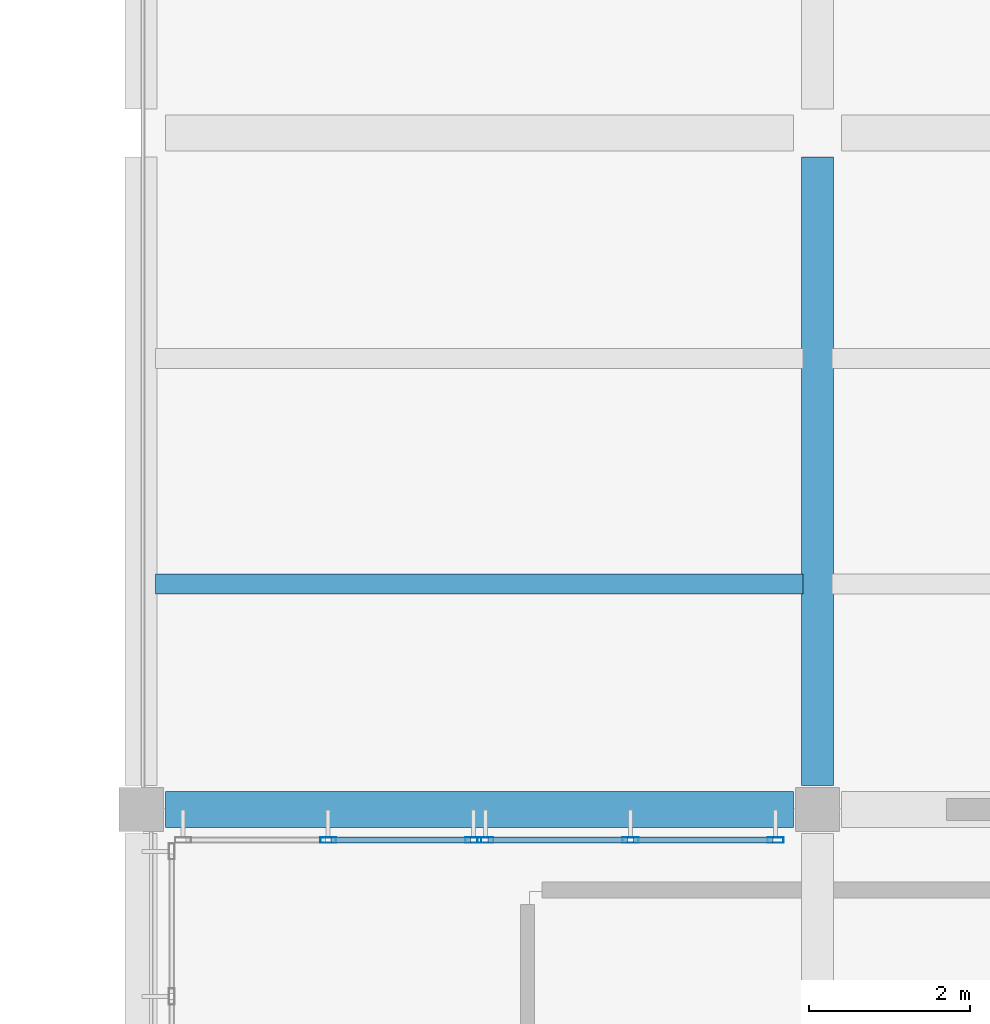
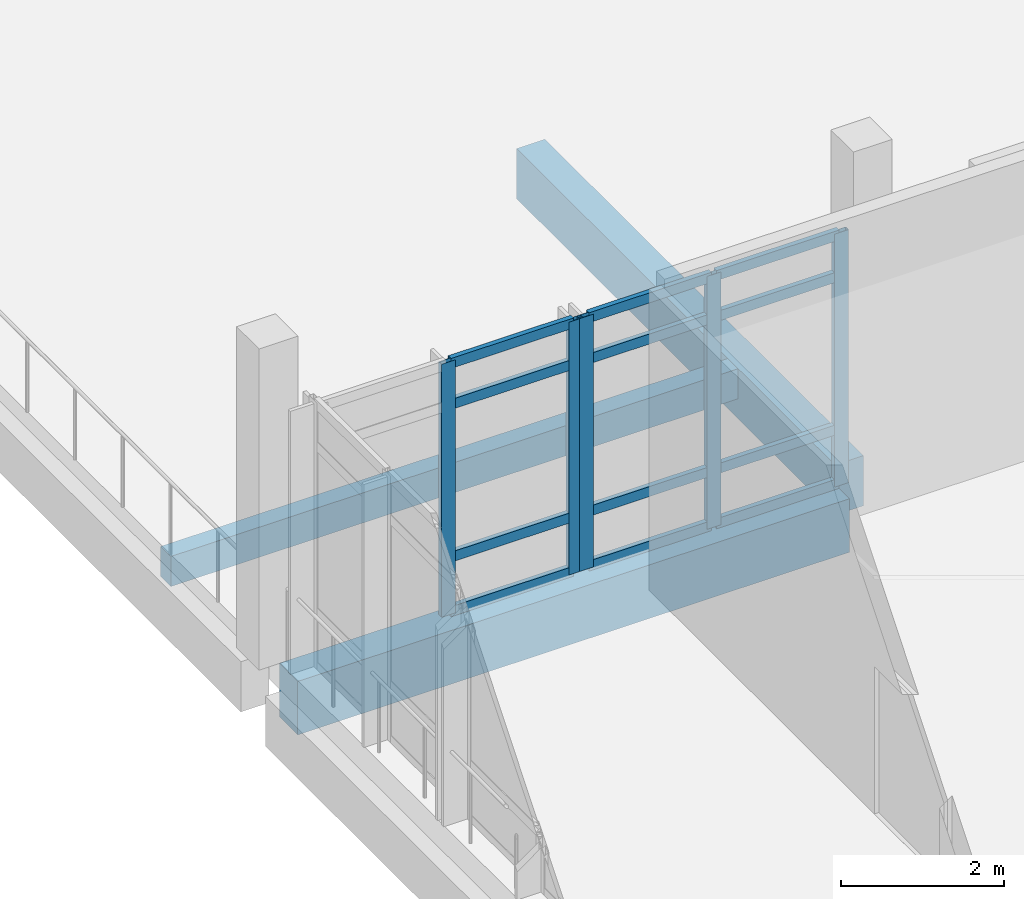
# One storey, part 24 of 63: 17 members, 3 beams, 2 elements without a shape of their own.
"""IFC4 building model written with IfcOpenShell, lengths in metres."""

from ifc_helpers import new_model, si_unit, derived_unit, direction, frame, origin, origin_2d, place, context, subcontext, project, spatial, rectangle, hollow_rectangle, extrude, material, layer, layer_set, material_profile, profile_set, type_object, element, aggregate, save


model = new_model("IFC4")

# Units and contexts
model_context = context("Model", 3, precision=1e-05, world=origin(), true_north=direction((0.0, 1.0)))
body_context = subcontext(model_context, "Body", "Model", "MODEL_VIEW")
ifc_project = project(units=[si_unit("LENGTHUNIT", "METRE"), si_unit("AREAUNIT", "SQUARE_METRE"), si_unit("VOLUMEUNIT", "CUBIC_METRE"), si_unit("PLANEANGLEUNIT", "RADIAN"), si_unit("MASSUNIT", "GRAM", prefix="KILO"), derived_unit("THERMALTRANSMITTANCEUNIT", [(si_unit("POWERUNIT", "WATT"), 1), (si_unit("LENGTHUNIT", "METRE"), -2), (si_unit("THERMODYNAMICTEMPERATUREUNIT", "KELVIN"), -1)])], contexts=[model_context])

# Site, building, storey
site_placement = place(None, origin())
site = spatial("IfcSite", under=ifc_project, at=site_placement, CompositionType="ELEMENT")
building_placement = place(site_placement, origin())
building = spatial("IfcBuilding", under=site, at=building_placement, Name="Elbkamm Science Centre", CompositionType="ELEMENT")
storey_placement = place(building_placement, frame((0.0, 0.0, 5.10009765625)))
storey = spatial("IfcBuildingStorey", under=building, at=storey_placement, Name="L01", CompositionType="ELEMENT", Elevation=5.10009765625)

# Beams
ifc_material_1 = material(Name="Concrete C40/50", Category="concrete")
ifc_material_profile_1 = material_profile(ifc_material_1, rectangle(XDim=0.39990234375, YDim=0.75, at=origin_2d()), Name="RC 400x750")
ifc_profile_set_1 = profile_set([ifc_material_profile_1], Name="Concrete C40/50")
beam_type_1 = type_object("IfcBeamType", Name="BM-RC-400x750", PredefinedType="BEAM", material=ifc_profile_set_1)
beam_1_placement = place(storey_placement, frame((134.39990234375, 75.89990234375, -0.625), z_axis=(0.0, 1.0, 0.0), x_axis=(-1.0, 0.0, 0.0)))
element("IfcBeam", 1, at=beam_1_placement, inside=storey, type_object=beam_type_1, Name="L01 Primary Y-Girder 053", PredefinedType="BEAM", context=body_context, shape_type="SweptSolid", body=[
    extrude(rectangle(XDim=0.39990234375, YDim=0.75, at=origin_2d()), origin(), (0.0, 0.0, 1.0), 7.800048828125),
])
ifc_material_profile_2 = material_profile(ifc_material_1, rectangle(XDim=0.449951171875, YDim=0.800048828125, at=origin_2d()), Name="RC 450x800")
ifc_profile_set_2 = profile_set([ifc_material_profile_2], Name="Concrete C40/50")
beam_type_2 = type_object("IfcBeamType", Name="BM-RC-450x800", PredefinedType="BEAM", material=ifc_profile_set_2)
beam_2_placement = place(storey_placement, frame((126.300048828125, 75.60009765625, -0.800048828125), z_axis=(1.0, 0.0, 0.0), x_axis=(0.0, 1.0, 0.0)))
element("IfcBeam", 2, at=beam_2_placement, inside=storey, type_object=beam_type_2, Name="L01 Primary X-Girder 072", PredefinedType="BEAM", context=body_context, shape_type="SweptSolid", body=[
    extrude(rectangle(XDim=0.449951171875, YDim=0.800048828125, at=origin_2d()), origin(), (0.0, 0.0, 1.0), 7.800048828125),
])

# Curtain wall, members
ifc_material_2 = material(Name="Powder-coated aluminium and triple low-E glazing", Category="aluminium")
ifc_layer = layer(ifc_material_2, 0.159912109375)
ifc_layer_set = layer_set([ifc_layer], Name="Powder-coated aluminium and triple low-E glazing")
curtain_wall_type = type_object("IfcCurtainWallType", Name="CW-UNIT-3680x3780", PredefinedType="USERDEFINED", material=ifc_layer_set)
curtain_wall_1_placement = place(storey_placement, origin())
curtain_wall_1 = element("IfcCurtainWall", 3, at=curtain_wall_1_placement, inside=storey, type_object=curtain_wall_type, Name="L01 Unitised Curtain Wall 159", ObjectType="UNITISED CURTAIN WALL", PredefinedType="USERDEFINED")
ifc_material_3 = material(Name="Powder-coated aluminium EN AW-6060", Category="aluminium")
ifc_material_profile_3 = material_profile(ifc_material_3, hollow_rectangle(XDim=0.070068359375, YDim=0.199951171875, WallThickness=0.00439453125, at=origin_2d()), Name="ALU M70x200")
ifc_profile_set_3 = profile_set([ifc_material_profile_3], Name="Powder-coated aluminium EN AW-6060")
member_type_1 = type_object("IfcMemberType", Name="CW-MUL-70x200", PredefinedType="MULLION", material=ifc_profile_set_3)
member_1_placement = place(storey_placement, frame((128.3232421875, 75.219970703125, 0.0), z_axis=(0.0, 0.0, 1.0), x_axis=(0.0, 1.0, 0.0)))
member_1 = element("IfcMember", 4, at=member_1_placement, type_object=member_type_1, Name="CW-075 mullion 2", PredefinedType="MULLION", context=body_context, shape_type="SweptSolid", body=[
    extrude(hollow_rectangle(XDim=0.070068359375, YDim=0.199951171875, WallThickness=0.00439453125, at=origin_2d()), origin(), (0.0, 0.0, 1.0), 3.77978515625),
])
member_2_placement = place(storey_placement, frame((130.125, 75.219970703125, 0.0), z_axis=(0.0, 0.0, 1.0), x_axis=(0.0, 1.0, 0.0)))
member_2 = element("IfcMember", 5, at=member_2_placement, type_object=member_type_1, Name="CW-075 mullion 3", PredefinedType="MULLION", context=body_context, shape_type="SweptSolid", body=[
    extrude(hollow_rectangle(XDim=0.070068359375, YDim=0.199951171875, WallThickness=0.00439453125, at=origin_2d()), origin(), (0.0, 0.0, 1.0), 3.77978515625),
])

curtain_wall_2_placement = place(storey_placement, origin())
curtain_wall_2 = element("IfcCurtainWall", 6, at=curtain_wall_2_placement, inside=storey, type_object=curtain_wall_type, Name="L01 Unitised Curtain Wall 160", ObjectType="UNITISED CURTAIN WALL", PredefinedType="USERDEFINED")
member_3_placement = place(storey_placement, frame((130.27490234375, 75.219970703125, 0.0), z_axis=(0.0, 0.0, 1.0), x_axis=(0.0, 1.0, 0.0)))
member_3 = element("IfcMember", 7, at=member_3_placement, type_object=member_type_1, Name="CW-075 mullion 1", PredefinedType="MULLION", context=body_context, shape_type="SweptSolid", body=[
    extrude(hollow_rectangle(XDim=0.070068359375, YDim=0.199951171875, WallThickness=0.00439453125, at=origin_2d()), origin(), (0.0, 0.0, 1.0), 3.77978515625),
])
member_4_placement = place(storey_placement, frame((132.076904296875, 75.219970703125, 0.0), z_axis=(0.0, 0.0, 1.0), x_axis=(0.0, 1.0, 0.0)))
member_4 = element("IfcMember", 8, at=member_4_placement, type_object=member_type_1, Name="CW-075 mullion 2", PredefinedType="MULLION", context=body_context, shape_type="SweptSolid", body=[
    extrude(hollow_rectangle(XDim=0.070068359375, YDim=0.199951171875, WallThickness=0.00439453125, at=origin_2d()), origin(), (0.0, 0.0, 1.0), 3.77978515625),
])
member_5_placement = place(storey_placement, frame((133.878662109375, 75.219970703125, 0.0), z_axis=(0.0, 0.0, 1.0), x_axis=(0.0, 1.0, 0.0)))
member_5 = element("IfcMember", 9, at=member_5_placement, type_object=member_type_1, Name="CW-075 mullion 3", PredefinedType="MULLION", context=body_context, shape_type="SweptSolid", body=[
    extrude(hollow_rectangle(XDim=0.070068359375, YDim=0.199951171875, WallThickness=0.00439453125, at=origin_2d()), origin(), (0.0, 0.0, 1.0), 3.77978515625),
])

# Member
ifc_material_profile_4 = material_profile(ifc_material_3, hollow_rectangle(XDim=0.070068359375, YDim=0.14990234375, WallThickness=0.00390625, at=origin_2d()), Name="ALU T70x150")
ifc_profile_set_4 = profile_set([ifc_material_profile_4], Name="Powder-coated aluminium EN AW-6060")
member_type_2 = type_object("IfcMemberType", Name="CW-TRN-70x150", PredefinedType="USERDEFINED", material=ifc_profile_set_4)
member_6_placement = place(storey_placement, frame((128.358154296875, 75.219970703125, 0.034912109375), z_axis=(1.0, 0.0, 0.0), x_axis=(0.0, 1.0, 0.0)))
member_6 = element("IfcMember", 10, at=member_6_placement, type_object=member_type_2, Name="CW-075 transom 2.1", ObjectType="TRANSOM", PredefinedType="USERDEFINED", context=body_context, shape_type="SweptSolid", body=[
    extrude(hollow_rectangle(XDim=0.070068359375, YDim=0.14990234375, WallThickness=0.00390625, at=origin_2d()), origin(), (0.0, 0.0, 1.0), 1.73193359375),
])

member_7_placement = place(storey_placement, frame((128.358154296875, 75.219970703125, 0.849853515625), z_axis=(1.0, 0.0, 0.0), x_axis=(0.0, 1.0, 0.0)))
member_7 = element("IfcMember", 11, at=member_7_placement, type_object=member_type_2, Name="CW-075 transom 2.2", ObjectType="TRANSOM", PredefinedType="USERDEFINED", context=body_context, shape_type="SweptSolid", body=[
    extrude(hollow_rectangle(XDim=0.070068359375, YDim=0.14990234375, WallThickness=0.00390625, at=origin_2d()), origin(), (0.0, 0.0, 1.0), 1.73193359375),
])

member_8_placement = place(storey_placement, frame((128.358154296875, 75.219970703125, 3.1298828125), z_axis=(1.0, 0.0, 0.0), x_axis=(0.0, 1.0, 0.0)))
member_8 = element("IfcMember", 12, at=member_8_placement, type_object=member_type_2, Name="CW-075 transom 2.3", ObjectType="TRANSOM", PredefinedType="USERDEFINED", context=body_context, shape_type="SweptSolid", body=[
    extrude(hollow_rectangle(XDim=0.070068359375, YDim=0.14990234375, WallThickness=0.00390625, at=origin_2d()), origin(), (0.0, 0.0, 1.0), 1.73193359375),
])

member_9_placement = place(storey_placement, frame((128.358154296875, 75.219970703125, 3.744873046875), z_axis=(1.0, 0.0, 0.0), x_axis=(0.0, 1.0, 0.0)))
member_9 = element("IfcMember", 13, at=member_9_placement, type_object=member_type_2, Name="CW-075 transom 2.4", ObjectType="TRANSOM", PredefinedType="USERDEFINED", context=body_context, shape_type="SweptSolid", body=[
    extrude(hollow_rectangle(XDim=0.070068359375, YDim=0.14990234375, WallThickness=0.00390625, at=origin_2d()), origin(), (0.0, 0.0, 1.0), 1.73193359375),
])

aggregate(curtain_wall_1, [member_1, member_2, member_6, member_7, member_8, member_9])

member_10_placement = place(storey_placement, frame((130.31005859375, 75.219970703125, 0.034912109375), z_axis=(1.0, 0.0, 0.0), x_axis=(0.0, 1.0, 0.0)))
member_10 = element("IfcMember", 14, at=member_10_placement, type_object=member_type_2, Name="CW-075 transom 1.1", ObjectType="TRANSOM", PredefinedType="USERDEFINED", context=body_context, shape_type="SweptSolid", body=[
    extrude(hollow_rectangle(XDim=0.070068359375, YDim=0.14990234375, WallThickness=0.00390625, at=origin_2d()), origin(), (0.0, 0.0, 1.0), 1.731689453125),
])

member_11_placement = place(storey_placement, frame((130.31005859375, 75.219970703125, 0.849853515625), z_axis=(1.0, 0.0, 0.0), x_axis=(0.0, 1.0, 0.0)))
member_11 = element("IfcMember", 15, at=member_11_placement, type_object=member_type_2, Name="CW-075 transom 1.2", ObjectType="TRANSOM", PredefinedType="USERDEFINED", context=body_context, shape_type="SweptSolid", body=[
    extrude(hollow_rectangle(XDim=0.070068359375, YDim=0.14990234375, WallThickness=0.00390625, at=origin_2d()), origin(), (0.0, 0.0, 1.0), 1.731689453125),
])

member_12_placement = place(storey_placement, frame((130.31005859375, 75.219970703125, 3.1298828125), z_axis=(1.0, 0.0, 0.0), x_axis=(0.0, 1.0, 0.0)))
member_12 = element("IfcMember", 16, at=member_12_placement, type_object=member_type_2, Name="CW-075 transom 1.3", ObjectType="TRANSOM", PredefinedType="USERDEFINED", context=body_context, shape_type="SweptSolid", body=[
    extrude(hollow_rectangle(XDim=0.070068359375, YDim=0.14990234375, WallThickness=0.00390625, at=origin_2d()), origin(), (0.0, 0.0, 1.0), 1.731689453125),
])

member_13_placement = place(storey_placement, frame((130.31005859375, 75.219970703125, 3.744873046875), z_axis=(1.0, 0.0, 0.0), x_axis=(0.0, 1.0, 0.0)))
member_13 = element("IfcMember", 17, at=member_13_placement, type_object=member_type_2, Name="CW-075 transom 1.4", ObjectType="TRANSOM", PredefinedType="USERDEFINED", context=body_context, shape_type="SweptSolid", body=[
    extrude(hollow_rectangle(XDim=0.070068359375, YDim=0.14990234375, WallThickness=0.00390625, at=origin_2d()), origin(), (0.0, 0.0, 1.0), 1.731689453125),
])

member_14_placement = place(storey_placement, frame((132.11181640625, 75.219970703125, 0.034912109375), z_axis=(1.0, 0.0, 0.0), x_axis=(0.0, 1.0, 0.0)))
member_14 = element("IfcMember", 18, at=member_14_placement, type_object=member_type_2, Name="CW-075 transom 2.1", ObjectType="TRANSOM", PredefinedType="USERDEFINED", context=body_context, shape_type="SweptSolid", body=[
    extrude(hollow_rectangle(XDim=0.070068359375, YDim=0.14990234375, WallThickness=0.00390625, at=origin_2d()), origin(), (0.0, 0.0, 1.0), 1.73193359375),
])

member_15_placement = place(storey_placement, frame((132.11181640625, 75.219970703125, 0.849853515625), z_axis=(1.0, 0.0, 0.0), x_axis=(0.0, 1.0, 0.0)))
member_15 = element("IfcMember", 19, at=member_15_placement, type_object=member_type_2, Name="CW-075 transom 2.2", ObjectType="TRANSOM", PredefinedType="USERDEFINED", context=body_context, shape_type="SweptSolid", body=[
    extrude(hollow_rectangle(XDim=0.070068359375, YDim=0.14990234375, WallThickness=0.00390625, at=origin_2d()), origin(), (0.0, 0.0, 1.0), 1.73193359375),
])

member_16_placement = place(storey_placement, frame((132.11181640625, 75.219970703125, 3.1298828125), z_axis=(1.0, 0.0, 0.0), x_axis=(0.0, 1.0, 0.0)))
member_16 = element("IfcMember", 20, at=member_16_placement, type_object=member_type_2, Name="CW-075 transom 2.3", ObjectType="TRANSOM", PredefinedType="USERDEFINED", context=body_context, shape_type="SweptSolid", body=[
    extrude(hollow_rectangle(XDim=0.070068359375, YDim=0.14990234375, WallThickness=0.00390625, at=origin_2d()), origin(), (0.0, 0.0, 1.0), 1.73193359375),
])

member_17_placement = place(storey_placement, frame((132.11181640625, 75.219970703125, 3.744873046875), z_axis=(1.0, 0.0, 0.0), x_axis=(0.0, 1.0, 0.0)))
member_17 = element("IfcMember", 21, at=member_17_placement, type_object=member_type_2, Name="CW-075 transom 2.4", ObjectType="TRANSOM", PredefinedType="USERDEFINED", context=body_context, shape_type="SweptSolid", body=[
    extrude(hollow_rectangle(XDim=0.070068359375, YDim=0.14990234375, WallThickness=0.00390625, at=origin_2d()), origin(), (0.0, 0.0, 1.0), 1.73193359375),
])

aggregate(curtain_wall_2, [member_3, member_4, member_5, member_10, member_11, member_12, member_13, member_14, member_15, member_16, member_17])

# Beam
ifc_material_profile_5 = material_profile(ifc_material_1, rectangle(XDim=0.25, YDim=0.449951171875, at=origin_2d()), Name="RC 250x450")
ifc_profile_set_5 = profile_set([ifc_material_profile_5], Name="Concrete C40/50")
beam_type_3 = type_object("IfcBeamType", Name="JST-RC-250x450", PredefinedType="JOIST", material=ifc_profile_set_5)
beam_3_placement = place(storey_placement, frame((126.179931640625, 78.39990234375, -0.47509765625), z_axis=(1.0, 0.0, 0.0), x_axis=(0.0, 1.0, 0.0)))
element("IfcBeam", 22, at=beam_3_placement, inside=storey, type_object=beam_type_3, Name="L01 Secondary Floor Joist 065", PredefinedType="JOIST", context=body_context, shape_type="SweptSolid", body=[
    extrude(rectangle(XDim=0.25, YDim=0.449951171875, at=origin_2d()), origin(), (0.0, 0.0, 1.0), 8.0400390625),
])

save(model, "model.ifc")
